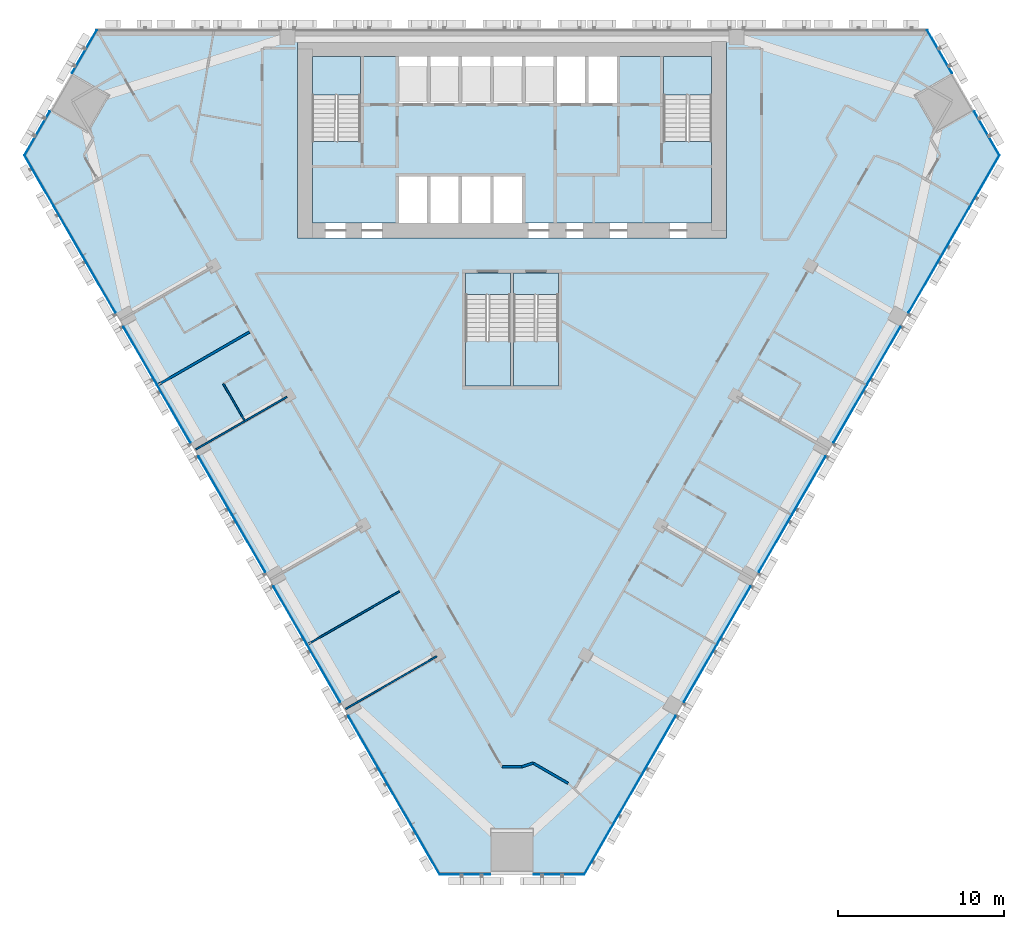
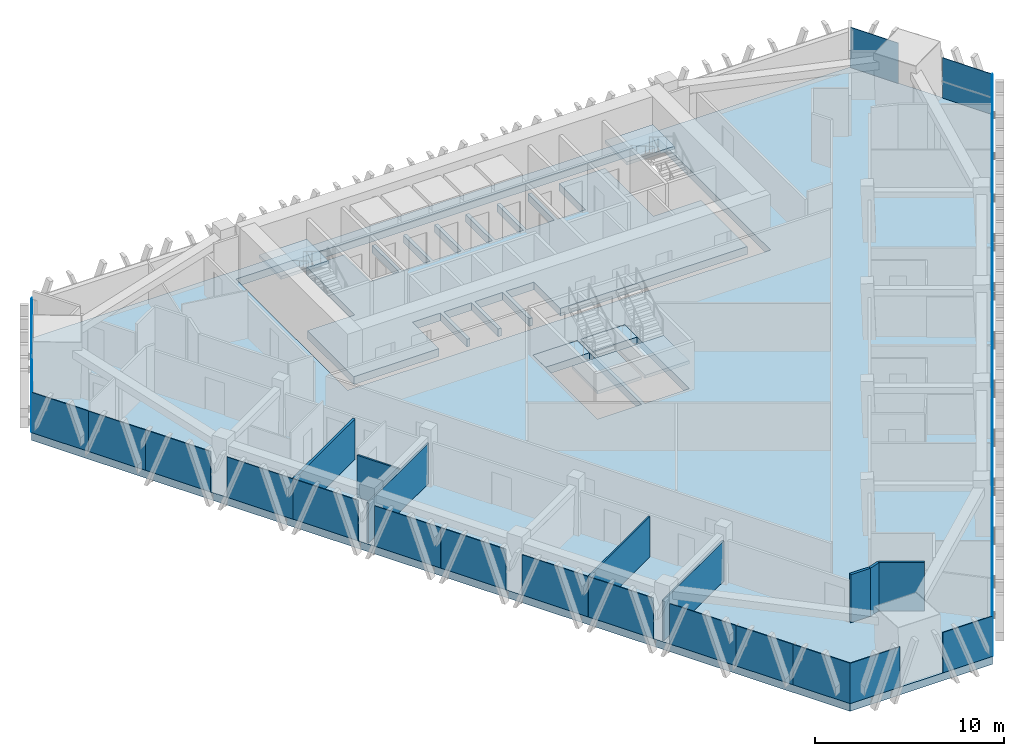
# One storey, part 8 of 16: 30 plates, 8 slabs, 8 walls, 9 elements without a shape of their own.
"""IFC4 building model written with IfcOpenShell, lengths in metres."""

from ifc_helpers import new_model, si_unit, direction, frame, frame_2d, origin, origin_2d, place, context, subcontext, project, spatial, polyline, rectangle, outline, extrude, material, layer, layer_set, type_object, element, aggregate, save


model = new_model("IFC4")

# Units and contexts
model_context = context("Model", 3, precision=1e-05, world=origin(), true_north=direction((0.0, 1.0)))
body_context = subcontext(model_context, "Body", "Model", "MODEL_VIEW")
ifc_project = project(units=[si_unit("LENGTHUNIT", "METRE"), si_unit("AREAUNIT", "SQUARE_METRE"), si_unit("VOLUMEUNIT", "CUBIC_METRE"), si_unit("PLANEANGLEUNIT", "RADIAN"), si_unit("MASSUNIT", "GRAM", prefix="KILO")], contexts=[model_context])

# Site, building, storey
site_placement = place(None, origin())
site = spatial("IfcSite", under=ifc_project, at=site_placement, CompositionType="ELEMENT")
building_placement = place(site_placement, origin())
building = spatial("IfcBuilding", under=site, at=building_placement, Name="Altiplano Prism Tower", CompositionType="ELEMENT")
storey_placement = place(building_placement, frame((0.0, 0.0, 88.199951171875)))
storey = spatial("IfcBuildingStorey", under=building, at=storey_placement, Name="L22", CompositionType="ELEMENT", Elevation=88.199951171875)

# Curtain wall, plates
ifc_material_1 = material(Name="Aluminium and glass", Category="aluminium")
ifc_layer_1 = layer(ifc_material_1, 0.280029296875)
ifc_layer_set_1 = layer_set([ifc_layer_1], Name="Aluminium and glass")
curtain_wall_type = type_object("IfcCurtainWallType", Name="CW1 typical co-living unitised curtain wall", PredefinedType="NOTDEFINED", material=ifc_layer_set_1)
curtain_wall_1_placement = place(storey_placement, origin())
curtain_wall_1 = element("IfcCurtainWall", 1, at=curtain_wall_1_placement, inside=storey, type_object=curtain_wall_type, Name="CW1 curtain wall north-west chamfer L22", PredefinedType="NOTDEFINED")
ifc_material_2 = material(Name="Clear glass", Category="glass")
ifc_layer_2 = layer(ifc_material_2, 0.0400390625)
ifc_layer_set_2 = layer_set([ifc_layer_2], Name="Clear glass")
plate_type = type_object("IfcPlateType", Name="CW1 insulated glass unit 40", PredefinedType="CURTAIN_PANEL", material=ifc_layer_set_2)
plate_1_placement = place(storey_placement, frame((59.31396484375, 103.705810546875, 0.0), z_axis=(0.0, 0.0, 1.0), x_axis=(-0.500000022778, -0.866025390633, 0.0)))
plate_1 = element("IfcPlate", 2, at=plate_1_placement, type_object=plate_type, Name="CW1 panel", PredefinedType="CURTAIN_PANEL", context=body_context, shape_type="SweptSolid", body=[
    extrude(rectangle(XDim=2.955810546875, YDim=0.0400390625, at=origin_2d()), origin(), (0.0, 0.0, 1.0), 2.60009765625),
])
plate_2_placement = place(storey_placement, frame((56.47119140625, 98.78173828125, 0.0), z_axis=(0.0, 0.0, 1.0), x_axis=(-0.500000022778, -0.866025390633, 0.0)))
plate_2 = element("IfcPlate", 3, at=plate_2_placement, type_object=plate_type, Name="CW1 panel", PredefinedType="CURTAIN_PANEL", context=body_context, shape_type="SweptSolid", body=[
    extrude(rectangle(XDim=3.035888671875, YDim=0.0400390625, at=origin_2d()), origin(), (0.0, 0.0, 1.0), 2.60009765625),
])
aggregate(curtain_wall_1, [plate_1, plate_2])

curtain_wall_2_placement = place(storey_placement, origin())
curtain_wall_2 = element("IfcCurtainWall", 4, at=curtain_wall_2_placement, inside=storey, type_object=curtain_wall_type, Name="CW1 curtain wall south-west face L22", PredefinedType="NOTDEFINED")
plate_3_placement = place(storey_placement, frame((56.579833984375, 95.9755859375, 0.0), z_axis=(0.0, 0.0, 1.0), x_axis=(0.500000009598, -0.866025398243, 0.0)))
plate_3 = element("IfcPlate", 5, at=plate_3_placement, type_object=plate_type, Name="CW1 panel", PredefinedType="CURTAIN_PANEL", context=body_context, shape_type="SweptSolid", body=[
    extrude(rectangle(XDim=3.470947265625, YDim=0.0400390625, at=origin_2d()), origin(), (0.0, 0.0, 1.0), 2.60009765625),
])
plate_4_placement = place(storey_placement, frame((58.3203125, 92.9609375, 0.0), z_axis=(0.0, 0.0, 1.0), x_axis=(0.500000009598, -0.866025398243, 0.0)))
plate_4 = element("IfcPlate", 6, at=plate_4_placement, type_object=plate_type, Name="CW1 panel", PredefinedType="CURTAIN_PANEL", context=body_context, shape_type="SweptSolid", body=[
    extrude(rectangle(XDim=3.470947265625, YDim=0.0400390625, at=origin_2d()), origin(), (0.0, 0.0, 1.0), 2.60009765625),
])
plate_5_placement = place(storey_placement, frame((60.183349609375, 89.734375, 0.0), z_axis=(0.0, 0.0, 1.0), x_axis=(0.500000009598, -0.866025398243, 0.0)))
plate_5 = element("IfcPlate", 7, at=plate_5_placement, type_object=plate_type, Name="CW1 panel", PredefinedType="CURTAIN_PANEL", context=body_context, shape_type="SweptSolid", body=[
    extrude(rectangle(XDim=3.96044921875, YDim=0.0400390625, at=origin_2d()), origin(), (0.0, 0.0, 1.0), 2.60009765625),
])
plate_6_placement = place(storey_placement, frame((62.67822265625, 85.412841796875, 0.0), z_axis=(0.0, 0.0, 1.0), x_axis=(0.500000009598, -0.866025398243, 0.0)))
plate_6 = element("IfcPlate", 8, at=plate_6_placement, type_object=plate_type, Name="CW1 panel", PredefinedType="CURTAIN_PANEL", context=body_context, shape_type="SweptSolid", body=[
    extrude(rectangle(XDim=4.039306640625, YDim=0.0400390625, at=origin_2d()), origin(), (0.0, 0.0, 1.0), 2.60009765625),
])
plate_7_placement = place(storey_placement, frame((64.683349609375, 81.940185546875, 0.0), z_axis=(0.0, 0.0, 1.0), x_axis=(0.500000009598, -0.866025398243, 0.0)))
plate_7 = element("IfcPlate", 9, at=plate_7_placement, type_object=plate_type, Name="CW1 panel", PredefinedType="CURTAIN_PANEL", context=body_context, shape_type="SweptSolid", body=[
    extrude(rectangle(XDim=3.96044921875, YDim=0.0400390625, at=origin_2d()), origin(), (0.0, 0.0, 1.0), 2.60009765625),
])
plate_8_placement = place(storey_placement, frame((67.17822265625, 77.61865234375, 0.0), z_axis=(0.0, 0.0, 1.0), x_axis=(0.500000009598, -0.866025398243, 0.0)))
plate_8 = element("IfcPlate", 10, at=plate_8_placement, type_object=plate_type, Name="CW1 panel", PredefinedType="CURTAIN_PANEL", context=body_context, shape_type="SweptSolid", body=[
    extrude(rectangle(XDim=4.039306640625, YDim=0.0400390625, at=origin_2d()), origin(), (0.0, 0.0, 1.0), 2.60009765625),
])
plate_9_placement = place(storey_placement, frame((69.183349609375, 74.14599609375, 0.0), z_axis=(0.0, 0.0, 1.0), x_axis=(0.500000009598, -0.866025398243, 0.0)))
plate_9 = element("IfcPlate", 11, at=plate_9_placement, type_object=plate_type, Name="CW1 panel", PredefinedType="CURTAIN_PANEL", context=body_context, shape_type="SweptSolid", body=[
    extrude(rectangle(XDim=3.96044921875, YDim=0.0400390625, at=origin_2d()), origin(), (0.0, 0.0, 1.0), 2.60009765625),
])
plate_10_placement = place(storey_placement, frame((71.67822265625, 69.824462890625, 0.0), z_axis=(0.0, 0.0, 1.0), x_axis=(0.500000009598, -0.866025398243, 0.0)))
plate_10 = element("IfcPlate", 12, at=plate_10_placement, type_object=plate_type, Name="CW1 panel", PredefinedType="CURTAIN_PANEL", context=body_context, shape_type="SweptSolid", body=[
    extrude(rectangle(XDim=4.039306640625, YDim=0.0400390625, at=origin_2d()), origin(), (0.0, 0.0, 1.0), 2.60009765625),
])
plate_11_placement = place(storey_placement, frame((73.683349609375, 66.351806640625, 0.0), z_axis=(0.0, 0.0, 1.0), x_axis=(0.500000009598, -0.866025398243, 0.0)))
plate_11 = element("IfcPlate", 13, at=plate_11_placement, type_object=plate_type, Name="CW1 panel", PredefinedType="CURTAIN_PANEL", context=body_context, shape_type="SweptSolid", body=[
    extrude(rectangle(XDim=3.96044921875, YDim=0.0400390625, at=origin_2d()), origin(), (0.0, 0.0, 1.0), 2.60009765625),
])
plate_12_placement = place(storey_placement, frame((76.17822265625, 62.0302734375, 0.0), z_axis=(0.0, 0.0, 1.0), x_axis=(0.500000009598, -0.866025398243, 0.0)))
plate_12 = element("IfcPlate", 14, at=plate_12_placement, type_object=plate_type, Name="CW1 panel", PredefinedType="CURTAIN_PANEL", context=body_context, shape_type="SweptSolid", body=[
    extrude(rectangle(XDim=4.039306640625, YDim=0.0400390625, at=origin_2d()), origin(), (0.0, 0.0, 1.0), 2.60009765625),
])
plate_13_placement = place(storey_placement, frame((78.060791015625, 58.76953125, 0.0), z_axis=(0.0, 0.0, 1.0), x_axis=(0.500000009598, -0.866025398243, 0.0)))
plate_13 = element("IfcPlate", 15, at=plate_13_placement, type_object=plate_type, Name="CW1 panel", PredefinedType="CURTAIN_PANEL", context=body_context, shape_type="SweptSolid", body=[
    extrude(rectangle(XDim=3.470947265625, YDim=0.0400390625, at=origin_2d()), origin(), (0.0, 0.0, 1.0), 2.60009765625),
])
plate_14_placement = place(storey_placement, frame((79.80126953125, 55.7548828125, 0.0), z_axis=(0.0, 0.0, 1.0), x_axis=(0.500000009598, -0.866025398243, 0.0)))
plate_14 = element("IfcPlate", 16, at=plate_14_placement, type_object=plate_type, Name="CW1 panel", PredefinedType="CURTAIN_PANEL", context=body_context, shape_type="SweptSolid", body=[
    extrude(rectangle(XDim=3.470947265625, YDim=0.0400390625, at=origin_2d()), origin(), (0.0, 0.0, 1.0), 2.60009765625),
])
aggregate(curtain_wall_2, [plate_3, plate_4, plate_5, plate_6, plate_7, plate_8, plate_9, plate_10, plate_11, plate_12, plate_13, plate_14])

curtain_wall_3_placement = place(storey_placement, origin())
curtain_wall_3 = element("IfcCurtainWall", 17, at=curtain_wall_3_placement, inside=storey, type_object=curtain_wall_type, Name="CW1 curtain wall south chamfer L22", PredefinedType="NOTDEFINED")
plate_15_placement = place(storey_placement, frame((82.177001953125, 54.257568359375, 0.0), z_axis=(0.0, 0.0, 1.0), x_axis=(1.0, 0.0, 0.0)))
plate_15 = element("IfcPlate", 18, at=plate_15_placement, type_object=plate_type, Name="CW1 panel", PredefinedType="CURTAIN_PANEL", context=body_context, shape_type="SweptSolid", body=[
    extrude(rectangle(XDim=3.03564453125, YDim=0.0400390625, at=origin_2d()), origin(), (0.0, 0.0, 1.0), 2.60009765625),
])
plate_16_placement = place(storey_placement, frame((87.822998046875, 54.257568359375, 0.0), z_axis=(0.0, 0.0, 1.0), x_axis=(1.0, 0.0, 0.0)))
plate_16 = element("IfcPlate", 19, at=plate_16_placement, type_object=plate_type, Name="CW1 panel", PredefinedType="CURTAIN_PANEL", context=body_context, shape_type="SweptSolid", body=[
    extrude(rectangle(XDim=3.03564453125, YDim=0.0400390625, at=origin_2d()), origin(), (0.0, 0.0, 1.0), 2.60009765625),
])
aggregate(curtain_wall_3, [plate_15, plate_16])

curtain_wall_4_placement = place(storey_placement, origin())
curtain_wall_4 = element("IfcCurtainWall", 20, at=curtain_wall_4_placement, inside=storey, type_object=curtain_wall_type, Name="CW1 curtain wall south-east face L22", PredefinedType="NOTDEFINED")
plate_17_placement = place(storey_placement, frame((90.19873046875, 55.7548828125, 0.0), z_axis=(0.0, 0.0, 1.0), x_axis=(0.500000009598, 0.866025398243, 0.0)))
plate_17 = element("IfcPlate", 21, at=plate_17_placement, type_object=plate_type, Name="CW1 panel", PredefinedType="CURTAIN_PANEL", context=body_context, shape_type="SweptSolid", body=[
    extrude(rectangle(XDim=3.470947265625, YDim=0.0400390625, at=origin_2d()), origin(), (0.0, 0.0, 1.0), 2.60009765625),
])
plate_18_placement = place(storey_placement, frame((91.939208984375, 58.76953125, 0.0), z_axis=(0.0, 0.0, 1.0), x_axis=(0.500000009598, 0.866025398243, 0.0)))
plate_18 = element("IfcPlate", 22, at=plate_18_placement, type_object=plate_type, Name="CW1 panel", PredefinedType="CURTAIN_PANEL", context=body_context, shape_type="SweptSolid", body=[
    extrude(rectangle(XDim=3.470947265625, YDim=0.0400390625, at=origin_2d()), origin(), (0.0, 0.0, 1.0), 2.60009765625),
])
plate_19_placement = place(storey_placement, frame((93.82177734375, 62.0302734375, 0.0), z_axis=(0.0, 0.0, 1.0), x_axis=(0.500000009598, 0.866025398243, 0.0)))
plate_19 = element("IfcPlate", 23, at=plate_19_placement, type_object=plate_type, Name="CW1 panel", PredefinedType="CURTAIN_PANEL", context=body_context, shape_type="SweptSolid", body=[
    extrude(rectangle(XDim=4.039306640625, YDim=0.0400390625, at=origin_2d()), origin(), (0.0, 0.0, 1.0), 2.60009765625),
])
plate_20_placement = place(storey_placement, frame((96.316650390625, 66.351806640625, 0.0), z_axis=(0.0, 0.0, 1.0), x_axis=(0.500000009598, 0.866025398243, 0.0)))
plate_20 = element("IfcPlate", 24, at=plate_20_placement, type_object=plate_type, Name="CW1 panel", PredefinedType="CURTAIN_PANEL", context=body_context, shape_type="SweptSolid", body=[
    extrude(rectangle(XDim=3.96044921875, YDim=0.0400390625, at=origin_2d()), origin(), (0.0, 0.0, 1.0), 2.60009765625),
])
plate_21_placement = place(storey_placement, frame((98.32177734375, 69.824462890625, 0.0), z_axis=(0.0, 0.0, 1.0), x_axis=(0.500000009598, 0.866025398243, 0.0)))
plate_21 = element("IfcPlate", 25, at=plate_21_placement, type_object=plate_type, Name="CW1 panel", PredefinedType="CURTAIN_PANEL", context=body_context, shape_type="SweptSolid", body=[
    extrude(rectangle(XDim=4.039306640625, YDim=0.0400390625, at=origin_2d()), origin(), (0.0, 0.0, 1.0), 2.60009765625),
])
plate_22_placement = place(storey_placement, frame((100.816650390625, 74.14599609375, 0.0), z_axis=(0.0, 0.0, 1.0), x_axis=(0.500000009598, 0.866025398243, 0.0)))
plate_22 = element("IfcPlate", 26, at=plate_22_placement, type_object=plate_type, Name="CW1 panel", PredefinedType="CURTAIN_PANEL", context=body_context, shape_type="SweptSolid", body=[
    extrude(rectangle(XDim=3.96044921875, YDim=0.0400390625, at=origin_2d()), origin(), (0.0, 0.0, 1.0), 2.60009765625),
])
plate_23_placement = place(storey_placement, frame((102.82177734375, 77.61865234375, 0.0), z_axis=(0.0, 0.0, 1.0), x_axis=(0.500000009598, 0.866025398243, 0.0)))
plate_23 = element("IfcPlate", 27, at=plate_23_placement, type_object=plate_type, Name="CW1 panel", PredefinedType="CURTAIN_PANEL", context=body_context, shape_type="SweptSolid", body=[
    extrude(rectangle(XDim=4.039306640625, YDim=0.0400390625, at=origin_2d()), origin(), (0.0, 0.0, 1.0), 2.60009765625),
])
plate_24_placement = place(storey_placement, frame((105.316650390625, 81.940185546875, 0.0), z_axis=(0.0, 0.0, 1.0), x_axis=(0.500000009598, 0.866025398243, 0.0)))
plate_24 = element("IfcPlate", 28, at=plate_24_placement, type_object=plate_type, Name="CW1 panel", PredefinedType="CURTAIN_PANEL", context=body_context, shape_type="SweptSolid", body=[
    extrude(rectangle(XDim=3.96044921875, YDim=0.0400390625, at=origin_2d()), origin(), (0.0, 0.0, 1.0), 2.60009765625),
])
plate_25_placement = place(storey_placement, frame((107.32177734375, 85.412841796875, 0.0), z_axis=(0.0, 0.0, 1.0), x_axis=(0.500000009598, 0.866025398243, 0.0)))
plate_25 = element("IfcPlate", 29, at=plate_25_placement, type_object=plate_type, Name="CW1 panel", PredefinedType="CURTAIN_PANEL", context=body_context, shape_type="SweptSolid", body=[
    extrude(rectangle(XDim=4.039306640625, YDim=0.0400390625, at=origin_2d()), origin(), (0.0, 0.0, 1.0), 2.60009765625),
])
plate_26_placement = place(storey_placement, frame((109.816650390625, 89.734375, 0.0), z_axis=(0.0, 0.0, 1.0), x_axis=(0.500000009598, 0.866025398243, 0.0)))
plate_26 = element("IfcPlate", 30, at=plate_26_placement, type_object=plate_type, Name="CW1 panel", PredefinedType="CURTAIN_PANEL", context=body_context, shape_type="SweptSolid", body=[
    extrude(rectangle(XDim=3.96044921875, YDim=0.0400390625, at=origin_2d()), origin(), (0.0, 0.0, 1.0), 2.60009765625),
])
plate_27_placement = place(storey_placement, frame((111.6796875, 92.9609375, 0.0), z_axis=(0.0, 0.0, 1.0), x_axis=(0.500000009598, 0.866025398243, 0.0)))
plate_27 = element("IfcPlate", 31, at=plate_27_placement, type_object=plate_type, Name="CW1 panel", PredefinedType="CURTAIN_PANEL", context=body_context, shape_type="SweptSolid", body=[
    extrude(rectangle(XDim=3.470947265625, YDim=0.0400390625, at=origin_2d()), origin(), (0.0, 0.0, 1.0), 2.60009765625),
])
plate_28_placement = place(storey_placement, frame((113.420166015625, 95.9755859375, 0.0), z_axis=(0.0, 0.0, 1.0), x_axis=(0.500000009598, 0.866025398243, 0.0)))
plate_28 = element("IfcPlate", 32, at=plate_28_placement, type_object=plate_type, Name="CW1 panel", PredefinedType="CURTAIN_PANEL", context=body_context, shape_type="SweptSolid", body=[
    extrude(rectangle(XDim=3.470947265625, YDim=0.0400390625, at=origin_2d()), origin(), (0.0, 0.0, 1.0), 2.60009765625),
])
aggregate(curtain_wall_4, [plate_17, plate_18, plate_19, plate_20, plate_21, plate_22, plate_23, plate_24, plate_25, plate_26, plate_27, plate_28])

curtain_wall_5_placement = place(storey_placement, origin())
curtain_wall_5 = element("IfcCurtainWall", 33, at=curtain_wall_5_placement, inside=storey, type_object=curtain_wall_type, Name="CW1 curtain wall north-east chamfer L22", PredefinedType="NOTDEFINED")
plate_29_placement = place(storey_placement, frame((113.52880859375, 98.78173828125, 0.0), z_axis=(0.0, 0.0, 1.0), x_axis=(-0.500000022778, 0.866025390633, 0.0)))
plate_29 = element("IfcPlate", 34, at=plate_29_placement, type_object=plate_type, Name="CW1 panel", PredefinedType="CURTAIN_PANEL", context=body_context, shape_type="SweptSolid", body=[
    extrude(rectangle(XDim=3.035888671875, YDim=0.0400390625, at=origin_2d()), origin(), (0.0, 0.0, 1.0), 2.60009765625),
])
plate_30_placement = place(storey_placement, frame((110.68603515625, 103.705810546875, 0.0), z_axis=(0.0, 0.0, 1.0), x_axis=(-0.500000022778, 0.866025390633, 0.0)))
plate_30 = element("IfcPlate", 35, at=plate_30_placement, type_object=plate_type, Name="CW1 panel", PredefinedType="CURTAIN_PANEL", context=body_context, shape_type="SweptSolid", body=[
    extrude(rectangle(XDim=2.955810546875, YDim=0.0400390625, at=origin_2d()), origin(), (0.0, 0.0, 1.0), 2.60009765625),
])
aggregate(curtain_wall_5, [plate_29, plate_30])

# Slabs
ifc_material_3 = material(Name="Concrete C40/50", Category="concrete")
ifc_layer_3 = layer(ifc_material_3, 0.5)
ifc_layer_set_3 = layer_set([ifc_layer_3], Name="Concrete C40/50")
slab_type_1 = type_object("IfcSlabType", Name="Core floor slab 500", PredefinedType="FLOOR", material=ifc_layer_set_3)
slab_1_placement = place(storey_placement, frame((0.0, 0.0, -0.5)))
element("IfcSlab", 36, at=slab_1_placement, inside=storey, type_object=slab_type_1, Name="Core floor slab L22", PredefinedType="FLOOR", context=body_context, shape_type="SweptSolid", body=[
    extrude(outline(polyline([(97.0, 98.31005859375), (94.10009765625, 98.31005859375), (94.10009765625, 103.39990234375), (91.300048828125, 103.39990234375), (91.300048828125, 100.60009765625), (89.60009765625, 100.60009765625), (89.60009765625, 103.39990234375), (89.39990234375, 103.39990234375), (89.39990234375, 100.60009765625), (87.699951171875, 100.60009765625), (87.699951171875, 103.39990234375), (87.5, 103.39990234375), (87.5, 100.60009765625), (85.800048828125, 100.60009765625), (85.800048828125, 103.39990234375), (85.60009765625, 103.39990234375), (85.60009765625, 100.60009765625), (83.89990234375, 100.60009765625), (83.89990234375, 103.39990234375), (83.699951171875, 103.39990234375), (83.699951171875, 100.60009765625), (82.0, 100.60009765625), (82.0, 103.39990234375), (81.800048828125, 103.39990234375), (81.800048828125, 100.60009765625), (80.10009765625, 100.60009765625), (80.10009765625, 103.39990234375), (79.89990234375, 103.39990234375), (79.89990234375, 100.60009765625), (78.199951171875, 100.60009765625), (78.199951171875, 103.39990234375), (75.89990234375, 103.39990234375), (75.89990234375, 98.31005859375), (73.0, 98.31005859375), (73.0, 93.39990234375), (78.199951171875, 93.39990234375), (78.199951171875, 96.199951171875), (79.89990234375, 96.199951171875), (79.89990234375, 93.39990234375), (80.10009765625, 93.39990234375), (80.10009765625, 96.199951171875), (81.800048828125, 96.199951171875), (81.800048828125, 93.39990234375), (82.0, 93.39990234375), (82.0, 96.199951171875), (83.699951171875, 96.199951171875), (83.699951171875, 93.39990234375), (83.89990234375, 93.39990234375), (83.89990234375, 96.199951171875), (85.60009765625, 96.199951171875), (85.60009765625, 93.39990234375), (97.0, 93.39990234375), (97.0, 98.31005859375)])), origin(), (0.0, 0.0, 1.0), 0.5),
])
slab_2_placement = place(storey_placement, frame((0.0, 0.0, -0.5)))
element("IfcSlab", 37, at=slab_2_placement, inside=storey, type_object=slab_type_1, Name="Stair 3A landing slab L22", PredefinedType="FLOOR", context=body_context, shape_type="SweptSolid", body=[
    extrude(outline(polyline([(82.199951171875, 89.096923828125), (84.89990234375, 89.096923828125), (84.89990234375, 90.39990234375), (82.199951171875, 90.39990234375), (82.199951171875, 89.096923828125)])), origin(), (0.0, 0.0, 1.0), 0.5),
])
slab_3_placement = place(storey_placement, frame((0.0, 0.0, -0.5)))
element("IfcSlab", 38, at=slab_3_placement, inside=storey, type_object=slab_type_1, Name="Stair 3B landing slab L22", PredefinedType="FLOOR", context=body_context, shape_type="SweptSolid", body=[
    extrude(outline(polyline([(85.10009765625, 89.096923828125), (87.800048828125, 89.096923828125), (87.800048828125, 90.39990234375), (85.10009765625, 90.39990234375), (85.10009765625, 89.096923828125)])), origin(), (0.0, 0.0, 1.0), 0.5),
])
ifc_layer_4 = layer(ifc_material_3, 0.5)
ifc_layer_set_4 = layer_set([ifc_layer_4], Name="Concrete C40/50")
slab_type_2 = type_object("IfcSlabType", Name="Post-tensioned flat slab 500", PredefinedType="FLOOR", material=ifc_layer_set_4)
slab_4_placement = place(storey_placement, frame((0.0, 0.0, -0.5)))
element("IfcSlab", 39, at=slab_4_placement, inside=storey, type_object=slab_type_2, Name="Floor slab L22", PredefinedType="FLOOR", context=body_context, shape_type="SweptSolid", body=[
    extrude(outline(polyline([(80.654296875, 54.237548828125), (55.6923828125, 97.472900390625), (60.0380859375, 105.0), (109.9619140625, 105.0), (114.3076171875, 97.472900390625), (89.345703125, 54.237548828125), (80.654296875, 54.237548828125)]), holes=[polyline([(72.10009765625, 104.300048828125), (72.10009765625, 92.5), (97.89990234375, 92.5), (97.89990234375, 104.300048828125), (72.10009765625, 104.300048828125)]), polyline([(84.89990234375, 90.39990234375), (82.199951171875, 90.39990234375), (82.199951171875, 83.60009765625), (84.89990234375, 83.60009765625), (84.89990234375, 90.39990234375)]), polyline([(87.800048828125, 83.60009765625), (87.800048828125, 90.39990234375), (85.10009765625, 90.39990234375), (85.10009765625, 83.60009765625), (87.800048828125, 83.60009765625)])]), origin(), (0.0, 0.0, 1.0), 0.5),
])

# Stair, slab
stair_type_1 = type_object("IfcStairType", Name="Exit stair 1400", PredefinedType="HALF_TURN_STAIR", material=ifc_material_3)
stair_1_placement = place(storey_placement, origin())
stair_1 = element("IfcStair", 40, at=stair_1_placement, inside=storey, type_object=stair_type_1, Name="L22 Exit Stair 1", PredefinedType="HALF_TURN_STAIR")
ifc_layer_5 = layer(ifc_material_3, 0.199951171875)
ifc_layer_set_5 = layer_set([ifc_layer_5], Name="Concrete C40/50")
slab_type_3 = type_object("IfcSlabType", Name="Stair landing 200", PredefinedType="LANDING", material=ifc_layer_set_5)
slab_5_placement = place(storey_placement, frame((0.0, 0.0, 1.60009765625)))
slab_5 = element("IfcSlab", 41, at=slab_5_placement, type_object=slab_type_3, Name="ST1 landing 1", PredefinedType="LANDING", context=body_context, shape_type="SweptSolid", body=[
    extrude(outline(polyline([(75.89990234375, 101.096923828125), (75.89990234375, 103.39990234375), (73.0, 103.39990234375), (73.0, 101.096923828125), (75.89990234375, 101.096923828125)])), origin(), (0.0, 0.0, 1.0), 0.199951171875),
])
aggregate(stair_1, [slab_5])

stair_2_placement = place(storey_placement, origin())
stair_2 = element("IfcStair", 42, at=stair_2_placement, inside=storey, type_object=stair_type_1, Name="L22 Exit Stair 2", PredefinedType="HALF_TURN_STAIR")
slab_6_placement = place(storey_placement, frame((0.0, 0.0, 1.60009765625)))
slab_6 = element("IfcSlab", 43, at=slab_6_placement, type_object=slab_type_3, Name="ST2 landing 1", PredefinedType="LANDING", context=body_context, shape_type="SweptSolid", body=[
    extrude(outline(polyline([(97.0, 101.096923828125), (97.0, 103.39990234375), (94.10009765625, 103.39990234375), (94.10009765625, 101.096923828125), (97.0, 101.096923828125)])), origin(), (0.0, 0.0, 1.0), 0.199951171875),
])
aggregate(stair_2, [slab_6])

stair_type_2 = type_object("IfcStairType", Name="Exit stair 1300", PredefinedType="HALF_TURN_STAIR", material=ifc_material_3)
stair_3_placement = place(storey_placement, origin())
stair_3 = element("IfcStair", 44, at=stair_3_placement, inside=storey, type_object=stair_type_2, Name="L22 Exit Stair 3A", PredefinedType="HALF_TURN_STAIR")
slab_7_placement = place(storey_placement, frame((0.0, 0.0, 1.60009765625)))
slab_7 = element("IfcSlab", 45, at=slab_7_placement, type_object=slab_type_3, Name="ST3A landing 1", PredefinedType="LANDING", context=body_context, shape_type="SweptSolid", body=[
    extrude(outline(polyline([(82.199951171875, 86.302978515625), (82.199951171875, 83.60009765625), (84.89990234375, 83.60009765625), (84.89990234375, 86.302978515625), (82.199951171875, 86.302978515625)])), origin(), (0.0, 0.0, 1.0), 0.199951171875),
])
aggregate(stair_3, [slab_7])

stair_4_placement = place(storey_placement, origin())
stair_4 = element("IfcStair", 46, at=stair_4_placement, inside=storey, type_object=stair_type_2, Name="L22 Exit Stair 3B", PredefinedType="HALF_TURN_STAIR")
slab_8_placement = place(storey_placement, frame((0.0, 0.0, 1.60009765625)))
slab_8 = element("IfcSlab", 47, at=slab_8_placement, type_object=slab_type_3, Name="ST3B landing 1", PredefinedType="LANDING", context=body_context, shape_type="SweptSolid", body=[
    extrude(outline(polyline([(85.10009765625, 86.302978515625), (85.10009765625, 83.60009765625), (87.800048828125, 83.60009765625), (87.800048828125, 86.302978515625), (85.10009765625, 86.302978515625)])), origin(), (0.0, 0.0, 1.0), 0.199951171875),
])
aggregate(stair_4, [slab_8])

# Walls
ifc_material_4 = material(Name="Plasterboard on steel stud", Category="steel")
ifc_layer_6 = layer(ifc_material_4, 0.10009765625)
ifc_layer_set_6 = layer_set([ifc_layer_6], Name="Plasterboard on steel stud")
wall_type_1 = type_object("IfcWallType", Name="Partition 100 unit", PredefinedType="PARTITIONING", material=ifc_layer_set_6)
wall_1_placement = place(storey_placement, frame((68.929443359375, 81.545654296875, 0.0), z_axis=(0.0, 0.0, 1.0), x_axis=(-0.500020783669, 0.866013403995, 0.0)))
element("IfcWall", 48, at=wall_1_placement, inside=storey, type_object=wall_type_1, Name="Partition P02 L22 054", PredefinedType="PARTITIONING", context=body_context, shape_type="SweptSolid", body=[
    extrude(rectangle(XDim=2.55029296875, YDim=0.10009765625, at=frame_2d((1.275146484375, 0.0))), origin(), (0.0, 0.0, 1.0), 2.699951171875),
])
ifc_layer_7 = layer(ifc_material_4, 0.10009765625)
ifc_layer_set_7 = layer_set([ifc_layer_7], Name="Plasterboard on steel stud")
wall_type_2 = type_object("IfcWallType", Name="Partition 100 wet", PredefinedType="PARTITIONING", material=ifc_layer_set_7)
wall_2_placement = place(storey_placement, frame((66.010009765625, 79.802490234375, 0.0), z_axis=(0.0, 0.0, 1.0), x_axis=(0.866032601554, 0.49998753289, 0.0)))
element("IfcWall", 49, at=wall_2_placement, inside=storey, type_object=wall_type_2, Name="Partition P03 L22 056", PredefinedType="PARTITIONING", context=body_context, shape_type="SweptSolid", body=[
    extrude(rectangle(XDim=6.324951171875, YDim=0.10009765625, at=frame_2d((3.16259765625, 0.0))), origin(), (0.0, 0.0, 1.0), 2.60009765625),
])
wall_3_placement = place(storey_placement, frame((72.742431640625, 68.100830078125, 0.0), z_axis=(0.0, 0.0, 1.0), x_axis=(0.866025401434, 0.500000004071, 0.0)))
element("IfcWall", 50, at=wall_3_placement, inside=storey, type_object=wall_type_2, Name="Partition P03 L22 058", PredefinedType="PARTITIONING", context=body_context, shape_type="SweptSolid", body=[
    extrude(rectangle(XDim=6.34521484375, YDim=0.10009765625, at=frame_2d((3.172607421875, 0.0))), origin(), (0.0, 0.0, 1.0), 2.60009765625),
])
wall_4_placement = place(storey_placement, frame((75.010009765625, 64.2138671875, 0.0), z_axis=(0.0, 0.0, 1.0), x_axis=(0.866015887322, 0.500016482634, 0.0)))
element("IfcWall", 51, at=wall_4_placement, inside=storey, type_object=wall_type_2, Name="Partition P03 L22 059", PredefinedType="PARTITIONING", context=body_context, shape_type="SweptSolid", body=[
    extrude(rectangle(XDim=6.324951171875, YDim=0.10009765625, at=frame_2d((3.16259765625, 0.0))), origin(), (0.0, 0.0, 1.0), 2.60009765625),
])
ifc_layer_8 = layer(ifc_material_4, 0.14990234375)
ifc_layer_set_8 = layer_set([ifc_layer_8], Name="Plasterboard on steel stud")
wall_type_3 = type_object("IfcWallType", Name="Partition 150 corridor", PredefinedType="PARTITIONING", material=ifc_layer_set_8)
wall_5_placement = place(storey_placement, frame((84.406982421875, 60.737548828125, 0.0), z_axis=(0.0, 0.0, 1.0), x_axis=(1.0, 0.0, 0.0)))
element("IfcWall", 52, at=wall_5_placement, inside=storey, type_object=wall_type_3, Name="Partition P06 L22 018", PredefinedType="PARTITIONING", context=body_context, shape_type="SweptSolid", body=[
    extrude(rectangle(XDim=1.18603515625, YDim=0.14990234375, at=frame_2d((0.593017578125, 0.0))), origin(), (0.0, 0.0, 1.0), 3.10009765625),
])
wall_6_placement = place(storey_placement, frame((85.593017578125, 60.737548828125, 0.0), z_axis=(0.0, 0.0, 1.0), x_axis=(0.949439565109, 0.313949856195, 0.0)))
element("IfcWall", 53, at=wall_6_placement, inside=storey, type_object=wall_type_3, Name="Partition P06 L22 019", PredefinedType="PARTITIONING", context=body_context, shape_type="SweptSolid", body=[
    extrude(rectangle(XDim=0.707763671875, YDim=0.14990234375, at=frame_2d((0.35400390625, 0.0))), origin(), (0.0, 0.0, 1.0), 3.10009765625),
])
wall_7_placement = place(storey_placement, frame((86.264892578125, 60.959716796875, 0.0), z_axis=(0.0, 0.0, 1.0), x_axis=(0.866026590519, -0.499997944509, 0.0)))
element("IfcWall", 54, at=wall_7_placement, inside=storey, type_object=wall_type_3, Name="Partition P06 L22 020", PredefinedType="PARTITIONING", context=body_context, shape_type="SweptSolid", body=[
    extrude(rectangle(XDim=2.42919921875, YDim=0.14990234375, at=frame_2d((1.214599609375, 0.0))), origin(), (0.0, 0.0, 1.0), 3.10009765625),
])
ifc_layer_9 = layer(ifc_material_4, 0.14990234375)
ifc_layer_set_9 = layer_set([ifc_layer_9], Name="Plasterboard on steel stud")
wall_type_4 = type_object("IfcWallType", Name="Partition 150 party", PredefinedType="PARTITIONING", material=ifc_layer_set_9)
wall_8_placement = place(storey_placement, frame((63.742431640625, 83.689453125, 0.0), z_axis=(0.0, 0.0, 1.0), x_axis=(0.866025401434, 0.500000004071, 0.0)))
element("IfcWall", 55, at=wall_8_placement, inside=storey, type_object=wall_type_4, Name="Partition P01 L22 053", PredefinedType="PARTITIONING", context=body_context, shape_type="SweptSolid", body=[
    extrude(rectangle(XDim=6.34521484375, YDim=0.14990234375, at=frame_2d((3.172607421875, 0.0))), origin(), (0.0, 0.0, 1.0), 2.60009765625),
])

save(model, "model.ifc")
